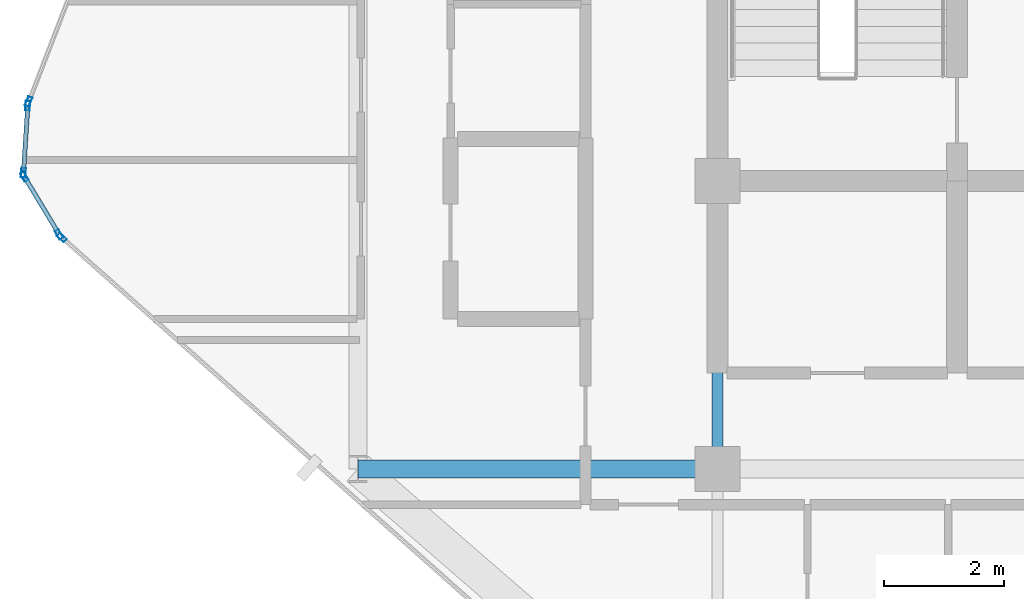
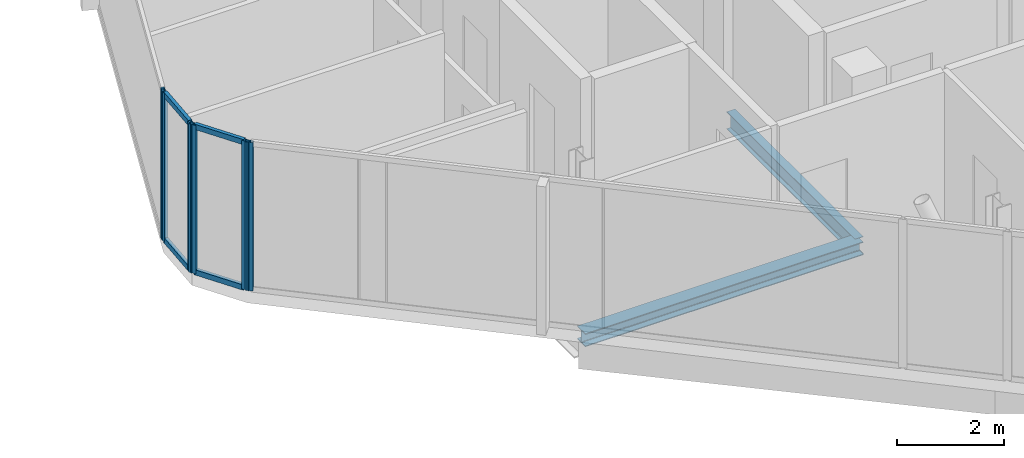
# One storey, part 8 of 29: 10 members, 2 beams, 4 elements without a shape of their own.
"""IFC4 building model written with IfcOpenShell, lengths in metres."""

from ifc_helpers import new_model, si_unit, direction, frame, origin, origin_2d, place, context, subcontext, project, spatial, hollow_rectangle, i_section, extrude, material, layer, layer_set, material_profile, profile_set, type_object, element, aggregate, save


model = new_model("IFC4")

# Units and contexts
model_context = context("Model", 3, precision=1e-05, world=origin(), true_north=direction((0.0, 1.0)))
body_context = subcontext(model_context, "Body", "Model", "MODEL_VIEW")
ifc_project = project(units=[si_unit("LENGTHUNIT", "METRE"), si_unit("AREAUNIT", "SQUARE_METRE"), si_unit("VOLUMEUNIT", "CUBIC_METRE"), si_unit("PLANEANGLEUNIT", "RADIAN"), si_unit("MASSUNIT", "GRAM", prefix="KILO")], contexts=[model_context])

# Site, building, storey
site_placement = place(None, origin())
site = spatial("IfcSite", under=ifc_project, at=site_placement, CompositionType="ELEMENT")
building_placement = place(site_placement, origin())
building = spatial("IfcBuilding", under=site, at=building_placement, Name="Keshet Zoharim Tower", CompositionType="ELEMENT")
storey_placement = place(building_placement, frame((0.0, 0.0, 210.60009765625)))
storey = spatial("IfcBuildingStorey", under=building, at=storey_placement, Name="L52", CompositionType="ELEMENT", Elevation=210.60009765625)

# Beams
ifc_material_1 = material(Name="Steel S355", Category="steel")
ifc_material_profile_1 = material_profile(ifc_material_1, i_section(OverallWidth=0.300048828125, OverallDepth=0.300048828125, WebThickness=0.010986328125, FlangeThickness=0.01904296875, FilletRadius=0.027099609375, at=origin_2d()), Name="HEB300")
ifc_profile_set_1 = profile_set([ifc_material_profile_1], Name="Steel S355")
beam_type_1 = type_object("IfcBeamType", Name="BM-PRI-HB300", PredefinedType="BEAM", material=ifc_profile_set_1)
beam_1_placement = place(storey_placement, frame((9.0, 17.89990234375, -0.460205078125), z_axis=(1.0, 0.0, 0.0), x_axis=(0.0, 1.0, 0.0)))
element("IfcBeam", 1, at=beam_1_placement, inside=storey, type_object=beam_type_1, Name="L52 Primary Girder X-011", PredefinedType="BEAM", context=body_context, shape_type="SweptSolid", body=[
    extrude(i_section(OverallWidth=0.300048828125, OverallDepth=0.300048828125, WebThickness=0.010986328125, FlangeThickness=0.01904296875, FilletRadius=0.027099609375, at=origin_2d()), origin(), (0.0, 0.0, 1.0), 6.0),
])
ifc_material_profile_2 = material_profile(ifc_material_1, i_section(OverallWidth=0.179931640625, OverallDepth=0.39990234375, WebThickness=0.008544921875, FlangeThickness=0.013427734375, FilletRadius=0.02099609375, at=origin_2d()), Name="IPE400")
ifc_profile_set_2 = profile_set([ifc_material_profile_2], Name="Steel S355")
beam_type_2 = type_object("IfcBeamType", Name="BM-PRI-IP400", PredefinedType="BEAM", material=ifc_profile_set_2)
beam_2_placement = place(storey_placement, frame((15.0, 17.89990234375, -0.510009765625), z_axis=(0.0, 1.0, 0.0), x_axis=(-1.0, 0.0, 0.0)))
element("IfcBeam", 2, at=beam_2_placement, inside=storey, type_object=beam_type_2, Name="L52 Primary Girder Y-003", PredefinedType="BEAM", context=body_context, shape_type="SweptSolid", body=[
    extrude(i_section(OverallWidth=0.179931640625, OverallDepth=0.39990234375, WebThickness=0.008544921875, FlangeThickness=0.013427734375, FilletRadius=0.02099609375, at=origin_2d()), origin(), (0.0, 0.0, 1.0), 4.800048828125),
])

# Curtain wall, member
ifc_material_2 = material(Name="Aluminium 6063-T6", Category="aluminium")
ifc_layer = layer(ifc_material_2, 0.139892578125)
ifc_layer_set = layer_set([ifc_layer], Name="Aluminium 6063-T6")
curtain_wall_type = type_object("IfcCurtainWallType", Name="CW-SYS-05", PredefinedType="NOTDEFINED", material=ifc_layer_set)
curtain_wall_1_placement = place(storey_placement, origin())
curtain_wall_1 = element("IfcCurtainWall", 3, at=curtain_wall_1_placement, inside=storey, type_object=curtain_wall_type, Name="L52 Unitised Curtain Wall 10 Part 3", PredefinedType="NOTDEFINED")
ifc_material_profile_3 = material_profile(ifc_material_2, hollow_rectangle(XDim=0.074951171875, YDim=0.159912109375, WallThickness=0.00390625, at=origin_2d()), Name="MUL-75x160")
ifc_profile_set_3 = profile_set([ifc_material_profile_3], Name="Aluminium 6063-T6")
member_type_1 = type_object("IfcMemberType", Name="CWM-M15", PredefinedType="MULLION", material=ifc_profile_set_3)
member_1_placement = place(storey_placement, frame((4.061279296875, 21.7568359375, 0.0), z_axis=(0.0, 0.0, 1.0), x_axis=(-0.664366823013, -0.747406666066, 0.0)))
member_1 = element("IfcMember", 4, at=member_1_placement, type_object=member_type_1, Name="CW-05 mullion 2", PredefinedType="MULLION", context=body_context, shape_type="SweptSolid", body=[
    extrude(hollow_rectangle(XDim=0.074951171875, YDim=0.159912109375, WallThickness=0.00390625, at=origin_2d()), origin(), (0.0, 0.0, 1.0), 3.389892578125),
])
aggregate(curtain_wall_1, [member_1])

# Curtain wall, members
curtain_wall_2_placement = place(storey_placement, origin())
curtain_wall_2 = element("IfcCurtainWall", 5, at=curtain_wall_2_placement, inside=storey, type_object=curtain_wall_type, Name="L52 Unitised Curtain Wall 11", PredefinedType="NOTDEFINED")
member_2_placement = place(storey_placement, frame((4.016845703125, 21.81005859375, 0.0), z_axis=(0.0, 0.0, 1.0), x_axis=(-0.856826433805, -0.515604947933, 0.0)))
member_2 = element("IfcMember", 6, at=member_2_placement, type_object=member_type_1, Name="CW-05 mullion 1", PredefinedType="MULLION", context=body_context, shape_type="SweptSolid", body=[
    extrude(hollow_rectangle(XDim=0.074951171875, YDim=0.159912109375, WallThickness=0.00390625, at=origin_2d()), origin(), (0.0, 0.0, 1.0), 3.389892578125),
])
member_3_placement = place(storey_placement, frame((3.43798828125, 22.77197265625, 0.0), z_axis=(0.0, 0.0, 1.0), x_axis=(-0.856826433805, -0.515604947933, 0.0)))
member_3 = element("IfcMember", 7, at=member_3_placement, type_object=member_type_1, Name="CW-05 mullion 2", PredefinedType="MULLION", context=body_context, shape_type="SweptSolid", body=[
    extrude(hollow_rectangle(XDim=0.074951171875, YDim=0.159912109375, WallThickness=0.00390625, at=origin_2d()), origin(), (0.0, 0.0, 1.0), 3.389892578125),
])

curtain_wall_3_placement = place(storey_placement, origin())
curtain_wall_3 = element("IfcCurtainWall", 8, at=curtain_wall_3_placement, inside=storey, type_object=curtain_wall_type, Name="L52 Unitised Curtain Wall 12", PredefinedType="NOTDEFINED")
member_4_placement = place(storey_placement, frame((3.42236328125, 22.8369140625, 0.0), z_axis=(0.0, 0.0, 1.0), x_axis=(-0.997916617186, 0.064516859374, 0.0)))
member_4 = element("IfcMember", 9, at=member_4_placement, type_object=member_type_1, Name="CW-05 mullion 1", PredefinedType="MULLION", context=body_context, shape_type="SweptSolid", body=[
    extrude(hollow_rectangle(XDim=0.074951171875, YDim=0.159912109375, WallThickness=0.00390625, at=origin_2d()), origin(), (0.0, 0.0, 1.0), 3.389892578125),
])
member_5_placement = place(storey_placement, frame((3.49462890625, 23.9580078125, 0.0), z_axis=(0.0, 0.0, 1.0), x_axis=(-0.997916617186, 0.064516859374, 0.0)))
member_5 = element("IfcMember", 10, at=member_5_placement, type_object=member_type_1, Name="CW-05 mullion 2", PredefinedType="MULLION", context=body_context, shape_type="SweptSolid", body=[
    extrude(hollow_rectangle(XDim=0.074951171875, YDim=0.159912109375, WallThickness=0.00390625, at=origin_2d()), origin(), (0.0, 0.0, 1.0), 3.389892578125),
])

# Curtain wall, member
curtain_wall_4_placement = place(storey_placement, origin())
curtain_wall_4 = element("IfcCurtainWall", 11, at=curtain_wall_4_placement, inside=storey, type_object=curtain_wall_type, Name="L52 Unitised Curtain Wall 13", PredefinedType="NOTDEFINED")
member_6_placement = place(storey_placement, frame((3.509521484375, 24.025634765625, 0.0), z_axis=(0.0, 0.0, 1.0), x_axis=(-0.933341404361, 0.358990003907, 0.0)))
member_6 = element("IfcMember", 12, at=member_6_placement, type_object=member_type_1, Name="CW-05 mullion 1", PredefinedType="MULLION", context=body_context, shape_type="SweptSolid", body=[
    extrude(hollow_rectangle(XDim=0.074951171875, YDim=0.159912109375, WallThickness=0.00390625, at=origin_2d()), origin(), (0.0, 0.0, 1.0), 3.389892578125),
])
aggregate(curtain_wall_4, [member_6])

# Member
ifc_material_profile_4 = material_profile(ifc_material_2, hollow_rectangle(XDim=0.074951171875, YDim=0.1201171875, WallThickness=0.00390625, at=origin_2d()), Name="TRN-75x120")
ifc_profile_set_4 = profile_set([ifc_material_profile_4], Name="Aluminium 6063-T6")
member_type_2 = type_object("IfcMemberType", Name="CWT-T12", PredefinedType="USERDEFINED", material=ifc_profile_set_4)
member_7_placement = place(storey_placement, frame((3.9990234375, 21.840087890625, 0.034912109375), z_axis=(-0.515791194107, 0.856714330499, 0.0), x_axis=(-0.856714330499, -0.515791194107, 0.0)))
member_7 = element("IfcMember", 13, at=member_7_placement, type_object=member_type_2, Name="CW-05 transom 1.1", ObjectType="TRANSOM", PredefinedType="USERDEFINED", context=body_context, shape_type="SweptSolid", body=[
    extrude(hollow_rectangle(XDim=0.074951171875, YDim=0.1201171875, WallThickness=0.00390625, at=origin_2d()), origin(), (0.0, 0.0, 1.0), 1.052734375),
])

member_8_placement = place(storey_placement, frame((3.9990234375, 21.840087890625, 3.35498046875), z_axis=(-0.515791194107, 0.856714330499, 0.0), x_axis=(-0.856714330499, -0.515791194107, 0.0)))
member_8 = element("IfcMember", 14, at=member_8_placement, type_object=member_type_2, Name="CW-05 transom 1.2", ObjectType="TRANSOM", PredefinedType="USERDEFINED", context=body_context, shape_type="SweptSolid", body=[
    extrude(hollow_rectangle(XDim=0.074951171875, YDim=0.1201171875, WallThickness=0.00390625, at=origin_2d()), origin(), (0.0, 0.0, 1.0), 1.052734375),
])

aggregate(curtain_wall_2, [member_2, member_3, member_7, member_8])

member_9_placement = place(storey_placement, frame((3.424560546875, 22.871826171875, 0.034912109375), z_axis=(0.064426947155, 0.997922426083, 0.0), x_axis=(-0.997922426083, 0.064426947155, 0.0)))
member_9 = element("IfcMember", 15, at=member_9_placement, type_object=member_type_2, Name="CW-05 transom 1.1", ObjectType="TRANSOM", PredefinedType="USERDEFINED", context=body_context, shape_type="SweptSolid", body=[
    extrude(hollow_rectangle(XDim=0.074951171875, YDim=0.1201171875, WallThickness=0.00390625, at=origin_2d()), origin(), (0.0, 0.0, 1.0), 1.053466796875),
])

member_10_placement = place(storey_placement, frame((3.424560546875, 22.871826171875, 3.35498046875), z_axis=(0.064426947155, 0.997922426083, 0.0), x_axis=(-0.997922426083, 0.064426947155, 0.0)))
member_10 = element("IfcMember", 16, at=member_10_placement, type_object=member_type_2, Name="CW-05 transom 1.2", ObjectType="TRANSOM", PredefinedType="USERDEFINED", context=body_context, shape_type="SweptSolid", body=[
    extrude(hollow_rectangle(XDim=0.074951171875, YDim=0.1201171875, WallThickness=0.00390625, at=origin_2d()), origin(), (0.0, 0.0, 1.0), 1.053466796875),
])

aggregate(curtain_wall_3, [member_4, member_5, member_9, member_10])

save(model, "model.ifc")
